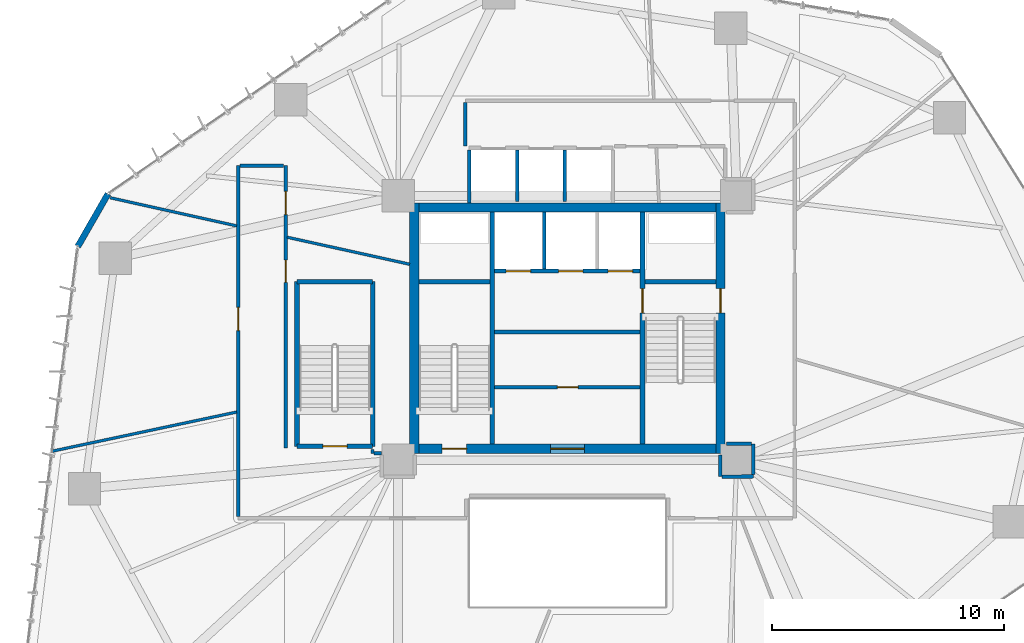
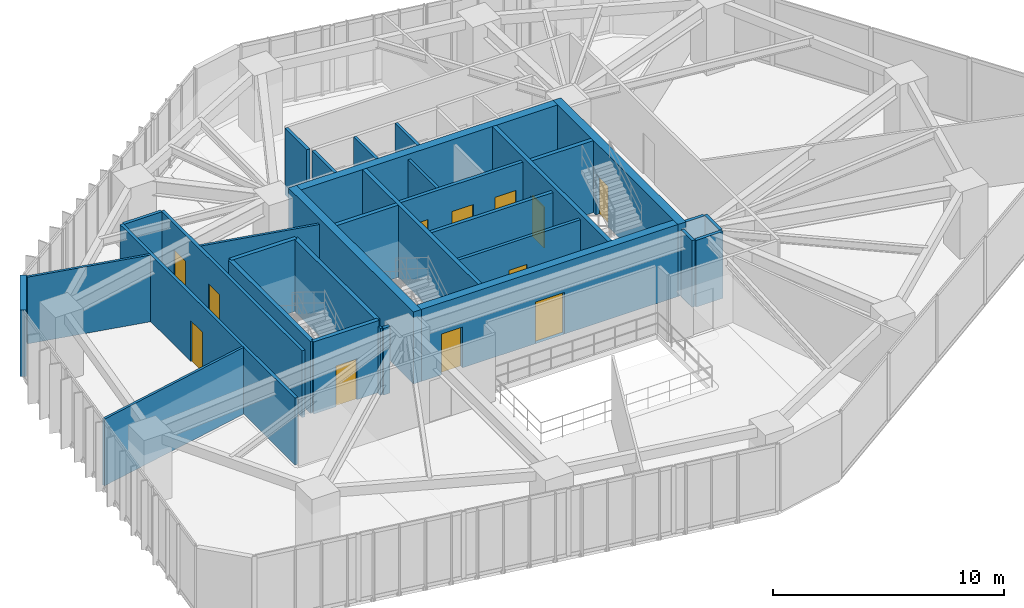
# One storey, part 17 of 21: 33 walls, 12 doors, 12 openings.
"""IFC4 building model written with IfcOpenShell, lengths in metres."""

from ifc_helpers import new_model, si_unit, direction, frame, frame_2d, origin, place, context, subcontext, project, spatial, rectangle, extrude, source, transform, mapped, material, layer, layer_set, type_object, type_shapes, element, fill, save


model = new_model("IFC4")

# Units and contexts
model_context = context("Model", 3, precision=1e-05, world=origin(), true_north=direction((0.0, 1.0)))
body_context = subcontext(model_context, "Body", "Model", "MODEL_VIEW")
ifc_project = project(units=[si_unit("LENGTHUNIT", "METRE"), si_unit("AREAUNIT", "SQUARE_METRE"), si_unit("VOLUMEUNIT", "CUBIC_METRE"), si_unit("PLANEANGLEUNIT", "RADIAN"), si_unit("MASSUNIT", "GRAM", prefix="KILO")], contexts=[model_context])

# Site, building, storey
site_placement = place(None, origin())
site = spatial("IfcSite", under=ifc_project, at=site_placement, CompositionType="ELEMENT")
building_placement = place(site_placement, origin())
building = spatial("IfcBuilding", under=site, at=building_placement, Name="Talar Marvaseh", CompositionType="ELEMENT")
storey_placement = place(building_placement, frame((0.0, 0.0, 62.0)))
storey = spatial("IfcBuildingStorey", under=building, at=storey_placement, Name="L15", CompositionType="ELEMENT", Elevation=62.0)

# Wall
ifc_material_1 = material(Name="Precast concrete C45/55", Category="concrete")
ifc_layer_1 = layer(ifc_material_1, 0.27001953125)
ifc_layer_set_1 = layer_set([ifc_layer_1], Name="Precast concrete C45/55")
wall_type_1 = type_object("IfcWallType", Name="Chamfered Hexagonal Corner Pier Wall Z1 270", PredefinedType="SOLIDWALL", material=ifc_layer_set_1)
wall_1_placement = place(storey_placement, frame((4.884033203125, 34.713134765625, 0.0), z_axis=(0.0, 0.0, 1.0), x_axis=(0.498102127786, 0.867118371559, 0.0)))
element("IfcWall", 1, at=wall_1_placement, inside=storey, type_object=wall_type_1, Name="L15 Chamfered Corner Limestone Pier 2", PredefinedType="SOLIDWALL", context=body_context, shape_type="SweptSolid", body=[
    extrude(rectangle(XDim=2.623291015625, YDim=0.27001953125, at=frame_2d((1.3115234375, 0.0))), origin(), (0.0, 0.0, 1.0), 3.52001953125),
])

# Wall, opening, door
ifc_material_2 = material(Name="Gypsum Board Partition Assembly")
ifc_layer_2 = layer(ifc_material_2, 0.155029296875)
ifc_layer_set_2 = layer_set([ifc_layer_2], Name="Gypsum Board Partition Assembly")
wall_type_2 = type_object("IfcWallType", Name="Corridor Fire-Rated Acoustic Partition 155", PredefinedType="PARTITIONING", material=ifc_layer_set_2)
wall_2_placement = place(storey_placement, frame((22.865966796875, 28.639892578125, 0.0), z_axis=(0.0, 0.0, 1.0), x_axis=(1.0, 0.0, 0.0)))
wall_2 = element("IfcWall", 2, at=wall_2_placement, inside=storey, type_object=wall_type_2, Name="L15 Core BOH Partition", PredefinedType="PARTITIONING", context=body_context, shape_type="SweptSolid", body=[
    extrude(rectangle(XDim=6.26806640625, YDim=0.155029296875, at=frame_2d((3.134033203125, 0.0))), origin(), (0.0, 0.0, 1.0), 3.52001953125),
])
opening_1_placement = place(wall_2_placement, frame((2.699951171875, 0.0, 0.0)))
opening_1 = element("IfcOpeningElement", 3, at=opening_1_placement, cuts=wall_2, Name="Opening DR-BOH090", PredefinedType="OPENING", context=body_context, shape_type="SweptSolid", body=[
    extrude(rectangle(XDim=0.89990234375, YDim=2.10009765625, at=frame_2d((0.449951171875, 1.050048828125))), frame((0.0, 0.08740234375, 0.0), z_axis=(0.0, -1.0, 0.0), x_axis=(1.0, 0.0, 0.0)), (0.0, 0.0, 1.0), 0.175048828125),
])
ifc_material_3 = material(Name="Fire-Rated Steel Door Leaf", Category="steel")
door_type_1 = type_object("IfcDoorType", Name="Core Back-of-House Service Door 900x2100", OperationType="NOTDEFINED", PredefinedType="DOOR", material=ifc_material_3)
shared_shape_1 = source(origin(), body_context, "Body", "SweptSolid", [
    extrude(rectangle(XDim=0.89990234375, YDim=2.10009765625, at=frame_2d((0.449951171875, 1.050048828125))), frame((0.0, 0.02490234375, 0.0), z_axis=(0.0, -1.0, 0.0), x_axis=(1.0, 0.0, 0.0)), (0.0, 0.0, 1.0), 0.050048828125),
])
type_shapes(door_type_1, [shared_shape_1])
door_1_placement = place(opening_1_placement, origin())
door_1 = element("IfcDoor", 4, at=door_1_placement, inside=storey, type_object=door_type_1, Name="L15 Store Core Central Archive Door", OperationType="SINGLE_SWING_LEFT", OverallHeight=2.10009765625, OverallWidth=0.89990234375, PredefinedType="DOOR", context=body_context, shape_type="MappedRepresentation", body=[
    mapped(shared_shape_1, transform((0.0, 0.0, 0.0), x_axis=(1.0, 0.0, 0.0), y_axis=(0.0, 1.0, 0.0), z_axis=(0.0, 0.0, 1.0), scale=1.0)),
])
fill(opening_1, door_1)

wall_3_placement = place(storey_placement, frame((11.800048828125, 23.08349609375, 0.0), z_axis=(0.0, 0.0, 1.0), x_axis=(0.0, 1.0, 0.0)))
wall_3 = element("IfcWall", 5, at=wall_3_placement, inside=storey, type_object=wall_type_2, Name="L15 Interior Partition Wall", PredefinedType="PARTITIONING", context=body_context, shape_type="SweptSolid", body=[
    extrude(rectangle(XDim=15.116455078125, YDim=0.155029296875, at=frame_2d((7.55810546875, 0.0))), origin(), (0.0, 0.0, 1.0), 3.52001953125),
])
opening_2_placement = place(wall_3_placement, frame((8.006103515625, 0.0, 0.0)))
opening_2 = element("IfcOpeningElement", 6, at=opening_2_placement, cuts=wall_3, Name="Opening DR-RM100", PredefinedType="OPENING", context=body_context, shape_type="SweptSolid", body=[
    extrude(rectangle(XDim=1.0, YDim=2.14990234375, at=frame_2d((0.5, 1.074951171875))), frame((0.0, 0.08740234375, 0.0), z_axis=(0.0, -1.0, 0.0), x_axis=(1.0, 0.0, 0.0)), (0.0, 0.0, 1.0), 0.175048828125),
])
ifc_material_4 = material(Name="Acoustic Engineered Oak Timber", Category="wood")
door_type_2 = type_object("IfcDoorType", Name="Corridor Fire-Rated Gallery Door 1000x2150", OperationType="NOTDEFINED", PredefinedType="DOOR", material=ifc_material_4)
shared_shape_2 = source(origin(), body_context, "Body", "SweptSolid", [
    extrude(rectangle(XDim=1.0, YDim=2.14990234375, at=frame_2d((0.5, 1.074951171875))), frame((0.0, 0.02490234375, 0.0), z_axis=(0.0, -1.0, 0.0), x_axis=(1.0, 0.0, 0.0)), (0.0, 0.0, 1.0), 0.050048828125),
])
type_shapes(door_type_2, [shared_shape_2])
door_2_placement = place(opening_2_placement, origin())
door_2 = element("IfcDoor", 7, at=door_2_placement, inside=storey, type_object=door_type_2, Name="L15 Quiet Research Study Door", OperationType="SINGLE_SWING_LEFT", OverallHeight=2.14990234375, OverallWidth=1.0, PredefinedType="DOOR", context=body_context, shape_type="MappedRepresentation", body=[
    mapped(shared_shape_2, transform((0.0, 0.0, 0.0), x_axis=(1.0, 0.0, 0.0), y_axis=(0.0, 1.0, 0.0), z_axis=(0.0, 0.0, 1.0), scale=1.0)),
])
fill(opening_2, door_2)

# Wall, openings, doors
wall_4_placement = place(storey_placement, frame((13.85009765625, 38.199951171875, 0.0), z_axis=(0.0, 0.0, 1.0), x_axis=(0.0, -1.0, 0.0)))
wall_4 = element("IfcWall", 8, at=wall_4_placement, inside=storey, type_object=wall_type_2, Name="L15 Interior Partition Wall", PredefinedType="PARTITIONING", context=body_context, shape_type="SweptSolid", body=[
    extrude(rectangle(XDim=12.179931640625, YDim=0.155029296875, at=frame_2d((6.08984375, 0.0))), origin(), (0.0, 0.0, 1.0), 3.52001953125),
])
opening_3_placement = place(wall_4_placement, frame((1.1044921875, 0.0, 0.0)))
opening_3 = element("IfcOpeningElement", 9, at=opening_3_placement, cuts=wall_4, Name="Opening DR-RM100", PredefinedType="OPENING", context=body_context, shape_type="SweptSolid", body=[
    extrude(rectangle(XDim=1.0, YDim=2.14990234375, at=frame_2d((0.5, 1.074951171875))), frame((0.0, 0.08740234375, 0.0), z_axis=(0.0, -1.0, 0.0), x_axis=(1.0, 0.0, 0.0)), (0.0, 0.0, 1.0), 0.175048828125),
])
opening_4_placement = place(wall_4_placement, frame((4.076416015625, 0.0, 0.0)))
opening_4 = element("IfcOpeningElement", 10, at=opening_4_placement, cuts=wall_4, Name="Opening DR-WC095", PredefinedType="OPENING", context=body_context, shape_type="SweptSolid", body=[
    extrude(rectangle(XDim=0.949951171875, YDim=2.14990234375, at=frame_2d((0.47509765625, 1.074951171875))), frame((0.0, 0.08740234375, 0.0), z_axis=(0.0, -1.0, 0.0), x_axis=(1.0, 0.0, 0.0)), (0.0, 0.0, 1.0), 0.175048828125),
])
door_type_3 = type_object("IfcDoorType", Name="Washroom and Service Room Door 950x2150", OperationType="NOTDEFINED", PredefinedType="DOOR", material=ifc_material_4)
shared_shape_3 = source(origin(), body_context, "Body", "SweptSolid", [
    extrude(rectangle(XDim=0.949951171875, YDim=2.14990234375, at=frame_2d((0.47509765625, 1.074951171875))), frame((0.0, 0.02490234375, 0.0), z_axis=(0.0, -1.0, 0.0), x_axis=(1.0, 0.0, 0.0)), (0.0, 0.0, 1.0), 0.050048828125),
])
type_shapes(door_type_3, [shared_shape_3])
door_3_placement = place(opening_4_placement, origin())
door_3 = element("IfcDoor", 11, at=door_3_placement, inside=storey, type_object=door_type_3, Name="L15 Accessible WC Door", OperationType="SINGLE_SWING_RIGHT", OverallHeight=2.14990234375, OverallWidth=0.949951171875, PredefinedType="DOOR", context=body_context, shape_type="MappedRepresentation", body=[
    mapped(shared_shape_3, transform((0.0, 0.0, 0.0), x_axis=(1.0, 0.0, 0.0), y_axis=(0.0, 1.0, 0.0), z_axis=(0.0, 0.0, 1.0), scale=1.0)),
])
fill(opening_4, door_3)
door_4_placement = place(opening_3_placement, origin())
door_4 = element("IfcDoor", 12, at=door_4_placement, inside=storey, type_object=door_type_2, Name="L15 Digital Paleography Studio Door", OperationType="SINGLE_SWING_LEFT", OverallHeight=2.14990234375, OverallWidth=1.0, PredefinedType="DOOR", context=body_context, shape_type="MappedRepresentation", body=[
    mapped(shared_shape_2, transform((0.0, 0.0, 0.0), x_axis=(1.0, 0.0, 0.0), y_axis=(0.0, 1.0, 0.0), z_axis=(0.0, 0.0, 1.0), scale=1.0)),
])
fill(opening_3, door_4)

# Walls
wall_5_placement = place(storey_placement, frame((11.883544921875, 38.199951171875, 0.0), z_axis=(0.0, 0.0, 1.0), x_axis=(1.0, 0.0, 0.0)))
element("IfcWall", 13, at=wall_5_placement, inside=storey, type_object=wall_type_2, Name="L15 Interior Partition Wall", PredefinedType="PARTITIONING", context=body_context, shape_type="SweptSolid", body=[
    extrude(rectangle(XDim=1.883056640625, YDim=0.155029296875, at=frame_2d((0.94140625, 0.0))), origin(), (0.0, 0.0, 1.0), 3.52001953125),
])
wall_6_placement = place(storey_placement, frame((17.666015625, 25.800048828125, 0.0), z_axis=(0.0, 0.0, 1.0), x_axis=(1.0, 0.0, 0.0)))
element("IfcWall", 14, at=wall_6_placement, inside=storey, type_object=wall_type_2, Name="L15 Interior Partition Wall", PredefinedType="PARTITIONING", context=body_context, shape_type="SweptSolid", body=[
    extrude(rectangle(XDim=0.319091796875, YDim=0.155029296875, at=frame_2d((0.15966796875, 0.0))), origin(), (0.0, 0.0, 1.0), 3.52001953125),
])
wall_7_placement = place(storey_placement, frame((32.5849609375, 25.72998046875, 0.0), z_axis=(0.0, 0.0, 1.0), x_axis=(0.007253695172, -0.999973691607, 0.0)))
element("IfcWall", 15, at=wall_7_placement, inside=storey, type_object=wall_type_2, Name="L15 Interior Partition Wall", PredefinedType="PARTITIONING", context=body_context, shape_type="SweptSolid", body=[
    extrude(rectangle(XDim=0.9423828125, YDim=0.155029296875, at=frame_2d((0.47119140625, 0.0))), origin(), (0.0, 0.0, 1.0), 3.52001953125),
])
wall_8_placement = place(storey_placement, frame((32.67529296875, 24.788330078125, 0.0), z_axis=(0.0, 0.0, 1.0), x_axis=(0.999961738884, 0.008747614993, 0.0)))
element("IfcWall", 16, at=wall_8_placement, inside=storey, type_object=wall_type_2, Name="L15 Interior Partition Wall", PredefinedType="PARTITIONING", context=body_context, shape_type="SweptSolid", body=[
    extrude(rectangle(XDim=1.339599609375, YDim=0.155029296875, at=frame_2d((0.669921875, 0.0))), origin(), (0.0, 0.0, 1.0), 3.52001953125),
])
wall_9_placement = place(storey_placement, frame((34.014892578125, 24.883544921875, 0.0), z_axis=(0.0, 0.0, 1.0), x_axis=(-0.002393659134, 0.999997135194, 0.0)))
element("IfcWall", 17, at=wall_9_placement, inside=storey, type_object=wall_type_2, Name="L15 Interior Partition Wall", PredefinedType="PARTITIONING", context=body_context, shape_type="SweptSolid", body=[
    extrude(rectangle(XDim=1.325927734375, YDim=0.155029296875, at=frame_2d((0.6630859375, 0.0))), origin(), (0.0, 0.0, 1.0), 3.52001953125),
])
wall_10_placement = place(storey_placement, frame((33.927978515625, 26.2099609375, 0.0), z_axis=(0.0, 0.0, 1.0), x_axis=(-0.999988255797, 0.004846469737, 0.0)))
element("IfcWall", 18, at=wall_10_placement, inside=storey, type_object=wall_type_2, Name="L15 Interior Partition Wall", PredefinedType="PARTITIONING", context=body_context, shape_type="SweptSolid", body=[
    extrude(rectangle(XDim=1.057861328125, YDim=0.155029296875, at=frame_2d((0.52880859375, 0.0))), origin(), (0.0, 0.0, 1.0), 3.52001953125),
])
wall_11_placement = place(storey_placement, frame((21.60009765625, 39.0400390625, 0.0), z_axis=(0.0, 0.0, 1.0), x_axis=(0.0, 1.0, 0.0)))
element("IfcWall", 19, at=wall_11_placement, inside=storey, type_object=wall_type_2, Name="L15 Interior Partition Wall", PredefinedType="PARTITIONING", context=body_context, shape_type="SweptSolid", body=[
    extrude(rectangle(XDim=1.87646484375, YDim=0.155029296875, at=frame_2d((0.938232421875, 0.0))), origin(), (0.0, 0.0, 1.0), 3.52001953125),
])
ifc_layer_3 = layer(ifc_material_2, 0.1201171875)
ifc_layer_set_3 = layer_set([ifc_layer_3], Name="Gypsum Board Partition Assembly")
wall_type_3 = type_object("IfcWallType", Name="Demountable Studio Room Partition 120", PredefinedType="PARTITIONING", material=ifc_layer_set_3)
wall_12_placement = place(storey_placement, frame((17.60009765625, 25.96240234375, 0.0), z_axis=(0.0, 0.0, 1.0), x_axis=(0.0, -1.0, 0.0)))
element("IfcWall", 20, at=wall_12_placement, inside=storey, type_object=wall_type_3, Name="L15 Interior Partition Wall", PredefinedType="PARTITIONING", context=body_context, shape_type="SweptSolid", body=[
    extrude(rectangle(XDim=0.1748046875, YDim=0.1201171875, at=frame_2d((0.08740234375, 0.0))), origin(), (0.0, 0.0, 1.0), 3.52001953125),
])
wall_13_placement = place(storey_placement, frame((3.7958984375, 25.890869140625, 0.0), z_axis=(0.0, 0.0, 1.0), x_axis=(0.978203773987, 0.207647240672, 0.0)))
element("IfcWall", 21, at=wall_13_placement, inside=storey, type_object=wall_type_3, Name="L15 Interior Partition Wall", PredefinedType="PARTITIONING", context=body_context, shape_type="SweptSolid", body=[
    extrude(rectangle(XDim=8.117431640625, YDim=0.1201171875, at=frame_2d((4.05859375, 0.0))), origin(), (0.0, 0.0, 1.0), 3.52001953125),
])
wall_14_placement = place(storey_placement, frame((19.199951171875, 33.949951171875, 0.0), z_axis=(0.0, 0.0, 1.0), x_axis=(-0.976527540086, 0.215392579848, 0.0)))
element("IfcWall", 22, at=wall_14_placement, inside=storey, type_object=wall_type_3, Name="L15 Interior Partition Wall", PredefinedType="PARTITIONING", context=body_context, shape_type="SweptSolid", body=[
    extrude(rectangle(XDim=5.413330078125, YDim=0.1201171875, at=frame_2d((2.70654296875, 0.0))), origin(), (0.0, 0.0, 1.0), 3.52001953125),
])
wall_15_placement = place(storey_placement, frame((11.736572265625, 35.60400390625, 0.0), z_axis=(0.0, 0.0, 1.0), x_axis=(-0.976098493893, 0.217328622643, 0.0)))
element("IfcWall", 23, at=wall_15_placement, inside=storey, type_object=wall_type_3, Name="L15 Interior Partition Wall", PredefinedType="PARTITIONING", context=body_context, shape_type="SweptSolid", body=[
    extrude(rectangle(XDim=5.583251953125, YDim=0.1201171875, at=frame_2d((2.79150390625, 0.0))), origin(), (0.0, 0.0, 1.0), 3.52001953125),
])
ifc_layer_4 = layer(ifc_material_1, 0.14501953125)
ifc_layer_set_4 = layer_set([ifc_layer_4], Name="Precast concrete C45/55")
wall_type_4 = type_object("IfcWallType", Name="Fire-Rated Lift Divider Wall 145", PredefinedType="SOLIDWALL", material=ifc_layer_set_4)
wall_16_placement = place(storey_placement, frame((25.0, 33.743408203125, 0.0), z_axis=(0.0, 0.0, 1.0), x_axis=(0.0, 1.0, 0.0)))
element("IfcWall", 24, at=wall_16_placement, inside=storey, type_object=wall_type_4, Name="L15 FFL-1/FFL-2 Divider", PredefinedType="SOLIDWALL", context=body_context, shape_type="SweptSolid", body=[
    extrude(rectangle(XDim=2.45654296875, YDim=0.14501953125, at=frame_2d((1.228271484375, 0.0))), origin(), (0.0, 0.0, 1.0), 3.52001953125),
])
wall_17_placement = place(storey_placement, frame((21.760009765625, 36.60009765625, 0.0), z_axis=(0.0, 0.0, 1.0), x_axis=(0.0, 1.0, 0.0)))
element("IfcWall", 25, at=wall_17_placement, inside=storey, type_object=wall_type_4, Name="L15 Low-Rise Bank West Wall", PredefinedType="SOLIDWALL", context=body_context, shape_type="SweptSolid", body=[
    extrude(rectangle(XDim=2.266357421875, YDim=0.14501953125, at=frame_2d((1.13330078125, 0.0))), origin(), (0.0, 0.0, 1.0), 3.52001953125),
])
for number, where, z_axis, x_axis, name in (
    (26, (23.830078125, 36.659912109375, 0.0), (0.0, 0.0, 1.0), (0.0, 1.0, 0.0), "L15 PL-L1/PL-L2 Divider"),
    (27, (25.889892578125, 36.659912109375, 0.0), (0.0, 0.0, 1.0), (0.0, 1.0, 0.0), "L15 PL-L2/PL-L3 Divider"),
):
    element("IfcWall", number, at=place(storey_placement, frame(where, z_axis=z_axis, x_axis=x_axis)), inside=storey, type_object=wall_type_4, Name=name, PredefinedType="SOLIDWALL", context=body_context, shape_type="SweptSolid", body=[
        extrude(rectangle(XDim=2.20654296875, YDim=0.14501953125, at=frame_2d((1.103271484375, 0.0))), origin(), (0.0, 0.0, 1.0), 3.52001953125),
    ])

# Wall, openings, doors
ifc_layer_5 = layer(ifc_material_1, 0.175048828125)
ifc_layer_set_5 = layer_set([ifc_layer_5], Name="Precast concrete C45/55")
wall_type_5 = type_object("IfcWallType", Name="Fire-Rated Lift Hoistway Enclosure Wall 175", PredefinedType="SOLIDWALL", material=ifc_layer_set_5)
wall_18_placement = place(storey_placement, frame((22.860107421875, 33.64990234375, 0.0), z_axis=(0.0, 0.0, 1.0), x_axis=(1.0, 0.0, 0.0)))
wall_18 = element("IfcWall", 28, at=wall_18_placement, inside=storey, type_object=wall_type_5, Name="L15 Firefighting and Service Lift Front Wall", PredefinedType="SOLIDWALL", context=body_context, shape_type="SweptSolid", body=[
    extrude(rectangle(XDim=6.27978515625, YDim=0.175048828125, at=frame_2d((3.139892578125, 0.0))), origin(), (0.0, 0.0, 1.0), 3.52001953125),
])
opening_5_placement = place(wall_18_placement, frame((0.5, 0.0, 0.0)))
opening_5 = element("IfcOpeningElement", 29, at=opening_5_placement, cuts=wall_18, Name="Opening LD-FF1", PredefinedType="OPENING", context=body_context, shape_type="SweptSolid", body=[
    extrude(rectangle(XDim=1.050048828125, YDim=2.14990234375, at=frame_2d((0.52490234375, 1.074951171875))), frame((0.0, 0.09765625, 0.0), z_axis=(0.0, -1.0, 0.0), x_axis=(1.0, 0.0, 0.0)), (0.0, 0.0, 1.0), 0.195068359375),
])
opening_6_placement = place(wall_18_placement, frame((2.760009765625, 0.0, 0.0)))
opening_6 = element("IfcOpeningElement", 30, at=opening_6_placement, cuts=wall_18, Name="Opening LD-FF2", PredefinedType="OPENING", context=body_context, shape_type="SweptSolid", body=[
    extrude(rectangle(XDim=1.050048828125, YDim=2.14990234375, at=frame_2d((0.52490234375, 1.074951171875))), frame((0.0, 0.09765625, 0.0), z_axis=(0.0, -1.0, 0.0), x_axis=(1.0, 0.0, 0.0)), (0.0, 0.0, 1.0), 0.195068359375),
])
opening_7_placement = place(wall_18_placement, frame((4.89990234375, 0.0, 0.0)))
opening_7 = element("IfcOpeningElement", 31, at=opening_7_placement, cuts=wall_18, Name="Opening LD-SV1", PredefinedType="OPENING", context=body_context, shape_type="SweptSolid", body=[
    extrude(rectangle(XDim=1.050048828125, YDim=2.14990234375, at=frame_2d((0.52490234375, 1.074951171875))), frame((0.0, 0.09765625, 0.0), z_axis=(0.0, -1.0, 0.0), x_axis=(1.0, 0.0, 0.0)), (0.0, 0.0, 1.0), 0.195068359375),
])
ifc_material_5 = material(Name="Stainless Steel Grade 316", Category="steel")
door_type_4 = type_object("IfcDoorType", Name="Automatic Sliding Lift Landing Door 1050x2150", OperationType="NOTDEFINED", PredefinedType="DOOR", material=ifc_material_5)
shared_shape_4 = source(origin(), body_context, "Body", "SweptSolid", [
    extrude(rectangle(XDim=1.050048828125, YDim=2.14990234375, at=frame_2d((0.52490234375, 1.074951171875))), frame((0.0, 0.02490234375, 0.0), z_axis=(0.0, -1.0, 0.0), x_axis=(1.0, 0.0, 0.0)), (0.0, 0.0, 1.0), 0.050048828125),
])
type_shapes(door_type_4, [shared_shape_4])
door_5_placement = place(opening_5_placement, origin())
door_5 = element("IfcDoor", 32, at=door_5_placement, inside=storey, type_object=door_type_4, Name="L15 Lift FFL-1 Sliding Landing Door", OperationType="SLIDING_TO_LEFT", OverallHeight=2.14990234375, OverallWidth=1.050048828125, PredefinedType="DOOR", context=body_context, shape_type="MappedRepresentation", body=[
    mapped(shared_shape_4, transform((0.0, 0.0, 0.0), x_axis=(1.0, 0.0, 0.0), y_axis=(0.0, 1.0, 0.0), z_axis=(0.0, 0.0, 1.0), scale=1.0)),
])
fill(opening_5, door_5)
door_6_placement = place(opening_6_placement, origin())
door_6 = element("IfcDoor", 33, at=door_6_placement, inside=storey, type_object=door_type_4, Name="L15 Lift FFL-2 Sliding Landing Door", OperationType="SLIDING_TO_LEFT", OverallHeight=2.14990234375, OverallWidth=1.050048828125, PredefinedType="DOOR", context=body_context, shape_type="MappedRepresentation", body=[
    mapped(shared_shape_4, transform((0.0, 0.0, 0.0), x_axis=(1.0, 0.0, 0.0), y_axis=(0.0, 1.0, 0.0), z_axis=(0.0, 0.0, 1.0), scale=1.0)),
])
fill(opening_6, door_6)
door_7_placement = place(opening_7_placement, origin())
door_7 = element("IfcDoor", 34, at=door_7_placement, inside=storey, type_object=door_type_4, Name="L15 Lift SVL-1 Sliding Landing Door", OperationType="SLIDING_TO_LEFT", OverallHeight=2.14990234375, OverallWidth=1.050048828125, PredefinedType="DOOR", context=body_context, shape_type="MappedRepresentation", body=[
    mapped(shared_shape_4, transform((0.0, 0.0, 0.0), x_axis=(1.0, 0.0, 0.0), y_axis=(0.0, 1.0, 0.0), z_axis=(0.0, 0.0, 1.0), scale=1.0)),
])
fill(opening_7, door_7)

# Walls
wall_19_placement = place(storey_placement, frame((22.860107421875, 31.02001953125, 0.0), z_axis=(0.0, 0.0, 1.0), x_axis=(1.0, 0.0, 0.0)))
element("IfcWall", 35, at=wall_19_placement, inside=storey, type_object=wall_type_5, Name="L15 Firefighting Lobby South Smoke Wall", PredefinedType="SOLIDWALL", context=body_context, shape_type="SweptSolid", body=[
    extrude(rectangle(XDim=6.27978515625, YDim=0.175048828125, at=frame_2d((3.139892578125, 0.0))), origin(), (0.0, 0.0, 1.0), 3.52001953125),
])
ifc_material_6 = material(Name="Concrete C70/85", Category="concrete")
ifc_layer_6 = layer(ifc_material_6, 0.39990234375)
ifc_layer_set_6 = layer_set([ifc_layer_6], Name="Concrete C70/85")
wall_type_6 = type_object("IfcWallType", Name="Lower Core Reinforced Concrete Shear Wall 400", PredefinedType="SHEAR", material=ifc_layer_set_6)
wall_20_placement = place(storey_placement, frame((19.39990234375, 25.800048828125, 0.0), z_axis=(0.0, 0.0, 1.0), x_axis=(0.0, 1.0, 0.0)))
element("IfcWall", 36, at=wall_20_placement, inside=storey, type_object=wall_type_6, Name="L15 West Core Shear Wall", PredefinedType="SHEAR", context=body_context, shape_type="SweptSolid", body=[
    extrude(rectangle(XDim=10.800048828125, YDim=0.39990234375, at=frame_2d((5.39990234375, 0.0))), origin(), (0.0, 0.0, 1.0), 3.800048828125),
])

# Wall, opening, door
wall_21_placement = place(storey_placement, frame((32.60009765625, 36.60009765625, 0.0), z_axis=(0.0, 0.0, 1.0), x_axis=(0.0, -1.0, 0.0)))
wall_21 = element("IfcWall", 37, at=wall_21_placement, inside=storey, type_object=wall_type_6, Name="L15 East Core Shear Wall", PredefinedType="SHEAR", context=body_context, shape_type="SweptSolid", body=[
    extrude(rectangle(XDim=10.800048828125, YDim=0.39990234375, at=frame_2d((5.39990234375, 0.0))), origin(), (0.0, 0.0, 1.0), 3.800048828125),
])
opening_8_placement = place(wall_21_placement, frame((3.699951171875, 0.0, 0.0)))
opening_8 = element("IfcOpeningElement", 38, at=opening_8_placement, cuts=wall_21, Name="Opening DR-ST105", PredefinedType="OPENING", context=body_context, shape_type="SweptSolid", body=[
    extrude(rectangle(XDim=1.050048828125, YDim=2.14990234375, at=frame_2d((0.52490234375, 1.074951171875))), frame((0.0, 0.2099609375, 0.0), z_axis=(0.0, -1.0, 0.0), x_axis=(1.0, 0.0, 0.0)), (0.0, 0.0, 1.0), 0.419921875),
])
door_type_5 = type_object("IfcDoorType", Name="Protected Exit Stair Fire Door 1050x2150", OperationType="NOTDEFINED", PredefinedType="DOOR", material=ifc_material_3)
shared_shape_5 = source(origin(), body_context, "Body", "SweptSolid", [
    extrude(rectangle(XDim=1.050048828125, YDim=2.14990234375, at=frame_2d((0.52490234375, 1.074951171875))), frame((0.0, 0.02490234375, 0.0), z_axis=(0.0, -1.0, 0.0), x_axis=(1.0, 0.0, 0.0)), (0.0, 0.0, 1.0), 0.050048828125),
])
type_shapes(door_type_5, [shared_shape_5])
door_8_placement = place(opening_8_placement, origin())
door_8 = element("IfcDoor", 39, at=door_8_placement, inside=storey, type_object=door_type_5, Name="L15 Stair ST-2 Corridor Exit Door", OperationType="SINGLE_SWING_LEFT", OverallHeight=2.14990234375, OverallWidth=1.050048828125, PredefinedType="DOOR", context=body_context, shape_type="MappedRepresentation", body=[
    mapped(shared_shape_5, transform((0.0, 0.0, 0.0), x_axis=(1.0, 0.0, 0.0), y_axis=(0.0, 1.0, 0.0), z_axis=(0.0, 0.0, 1.0), scale=1.0)),
])
fill(opening_8, door_8)

# Wall
wall_22_placement = place(storey_placement, frame((19.60009765625, 36.39990234375, 0.0), z_axis=(0.0, 0.0, 1.0), x_axis=(1.0, 0.0, 0.0)))
element("IfcWall", 40, at=wall_22_placement, inside=storey, type_object=wall_type_6, Name="L15 North Core Shear Wall", PredefinedType="SHEAR", context=body_context, shape_type="SweptSolid", body=[
    extrude(rectangle(XDim=12.7998046875, YDim=0.39990234375, at=frame_2d((6.39990234375, 0.0))), origin(), (0.0, 0.0, 1.0), 3.800048828125),
])

# Wall, openings, doors
wall_23_placement = place(storey_placement, frame((32.39990234375, 26.0, 0.0), z_axis=(0.0, 0.0, 1.0), x_axis=(-1.0, 0.0, 0.0)))
wall_23 = element("IfcWall", 41, at=wall_23_placement, inside=storey, type_object=wall_type_6, Name="L15 South Core Shear Wall", PredefinedType="SHEAR", context=body_context, shape_type="SweptSolid", body=[
    extrude(rectangle(XDim=12.7998046875, YDim=0.39990234375, at=frame_2d((6.39990234375, 0.0))), origin(), (0.0, 0.0, 1.0), 3.800048828125),
])
opening_9_placement = place(wall_23_placement, frame((10.75, 0.0, 0.0)))
opening_9 = element("IfcOpeningElement", 42, at=opening_9_placement, cuts=wall_23, Name="Opening DR-ST105", PredefinedType="OPENING", context=body_context, shape_type="SweptSolid", body=[
    extrude(rectangle(XDim=1.050048828125, YDim=2.14990234375, at=frame_2d((0.52490234375, 1.074951171875))), frame((0.0, 0.2099609375, 0.0), z_axis=(0.0, -1.0, 0.0), x_axis=(1.0, 0.0, 0.0)), (0.0, 0.0, 1.0), 0.419921875),
])
opening_10_placement = place(wall_23_placement, frame((5.669921875, 0.0, 0.0)))
opening_10 = element("IfcOpeningElement", 43, at=opening_10_placement, cuts=wall_23, Name="Opening DR-LBY145", PredefinedType="OPENING", context=body_context, shape_type="SweptSolid", body=[
    extrude(rectangle(XDim=1.449951171875, YDim=2.199951171875, at=frame_2d((0.72509765625, 1.10009765625))), frame((0.0, 0.2099609375, 0.0), z_axis=(0.0, -1.0, 0.0), x_axis=(1.0, 0.0, 0.0)), (0.0, 0.0, 1.0), 0.419921875),
])
door_9_placement = place(opening_9_placement, origin())
door_9 = element("IfcDoor", 44, at=door_9_placement, inside=storey, type_object=door_type_5, Name="L15 Stair ST-1 Exit Door", OperationType="SINGLE_SWING_RIGHT", OverallHeight=2.14990234375, OverallWidth=1.050048828125, PredefinedType="DOOR", context=body_context, shape_type="MappedRepresentation", body=[
    mapped(shared_shape_5, transform((0.0, 0.0, 0.0), x_axis=(1.0, 0.0, 0.0), y_axis=(0.0, 1.0, 0.0), z_axis=(0.0, 0.0, 1.0), scale=1.0)),
])
fill(opening_9, door_9)
door_type_6 = type_object("IfcDoorType", Name="Core Lift Lobby Double Smoke Door 1450x2200", OperationType="NOTDEFINED", PredefinedType="DOOR", material=ifc_material_3)
shared_shape_6 = source(origin(), body_context, "Body", "SweptSolid", [
    extrude(rectangle(XDim=1.449951171875, YDim=2.199951171875, at=frame_2d((0.72509765625, 1.10009765625))), frame((0.0, 0.02490234375, 0.0), z_axis=(0.0, -1.0, 0.0), x_axis=(1.0, 0.0, 0.0)), (0.0, 0.0, 1.0), 0.050048828125),
])
type_shapes(door_type_6, [shared_shape_6])
door_10_placement = place(opening_10_placement, origin())
door_10 = element("IfcDoor", 45, at=door_10_placement, inside=storey, type_object=door_type_6, Name="L15 Passenger Lift Lobby Entrance Door", OperationType="DOUBLE_DOOR_SINGLE_SWING", OverallHeight=2.199951171875, OverallWidth=1.449951171875, PredefinedType="DOOR", context=body_context, shape_type="MappedRepresentation", body=[
    mapped(shared_shape_6, transform((0.0, 0.0, 0.0), x_axis=(1.0, 0.0, 0.0), y_axis=(0.0, 1.0, 0.0), z_axis=(0.0, 0.0, 1.0), scale=1.0)),
])
fill(opening_10, door_10)

# Wall
ifc_material_7 = material(Name="Concrete C50/60", Category="concrete")
ifc_layer_7 = layer(ifc_material_7, 0.199951171875)
ifc_layer_set_7 = layer_set([ifc_layer_7], Name="Concrete C50/60")
wall_type_7 = type_object("IfcWallType", Name="Stair Shaft Structural Concrete Shear Wall 200", PredefinedType="SHEAR", material=ifc_layer_set_7)
wall_24_placement = place(storey_placement, frame((22.760009765625, 26.199951171875, 0.0), z_axis=(0.0, 0.0, 1.0), x_axis=(0.0, 1.0, 0.0)))
element("IfcWall", 46, at=wall_24_placement, inside=storey, type_object=wall_type_7, Name="L15 Core West Stair Shear Wall", PredefinedType="SHEAR", context=body_context, shape_type="SweptSolid", body=[
    extrude(rectangle(XDim=10.0, YDim=0.199951171875, at=frame_2d((5.0, 0.0))), origin(), (0.0, 0.0, 1.0), 3.800048828125),
])

# Wall, opening, door
wall_25_placement = place(storey_placement, frame((29.239990234375, 26.199951171875, 0.0), z_axis=(0.0, 0.0, 1.0), x_axis=(0.0, 1.0, 0.0)))
wall_25 = element("IfcWall", 47, at=wall_25_placement, inside=storey, type_object=wall_type_7, Name="L15 Core East Stair Shear Wall", PredefinedType="SHEAR", context=body_context, shape_type="SweptSolid", body=[
    extrude(rectangle(XDim=10.0, YDim=0.199951171875, at=frame_2d((5.0, 0.0))), origin(), (0.0, 0.0, 1.0), 3.800048828125),
])
opening_11_placement = place(wall_25_placement, frame((5.64990234375, 0.0, 0.0)))
opening_11 = element("IfcOpeningElement", 48, at=opening_11_placement, cuts=wall_25, Name="Opening DR-ST105", PredefinedType="OPENING", context=body_context, shape_type="SweptSolid", body=[
    extrude(rectangle(XDim=1.050048828125, YDim=2.14990234375, at=frame_2d((0.52490234375, 1.074951171875))), frame((0.0, 0.10986328125, 0.0), z_axis=(0.0, -1.0, 0.0), x_axis=(1.0, 0.0, 0.0)), (0.0, 0.0, 1.0), 0.219970703125),
])
door_11_placement = place(opening_11_placement, origin())
door_11 = element("IfcDoor", 49, at=door_11_placement, inside=storey, type_object=door_type_5, Name="L15 Firefighting Lobby to Stair ST-2 Door", OperationType="SINGLE_SWING_LEFT", OverallHeight=2.14990234375, OverallWidth=1.050048828125, PredefinedType="DOOR", context=body_context, shape_type="MappedRepresentation", body=[
    mapped(shared_shape_5, transform((0.0, 0.0, 0.0), x_axis=(1.0, 0.0, 0.0), y_axis=(0.0, 1.0, 0.0), z_axis=(0.0, 0.0, 1.0), scale=1.0)),
])
fill(opening_11, door_11)

# Walls
for number, where, z_axis, x_axis, name in (
    (50, (19.60009765625, 33.199951171875, 0.0), (0.0, 0.0, 1.0), (1.0, 0.0, 0.0), "L15 Stair ST-1 North Shear Wall"),
    (51, (29.340087890625, 33.199951171875, 0.0), (0.0, 0.0, 1.0), (1.0, 0.0, 0.0), "L15 Stair ST-2 North Shear Wall"),
):
    element("IfcWall", number, at=place(storey_placement, frame(where, z_axis=z_axis, x_axis=x_axis)), inside=storey, type_object=wall_type_7, Name=name, PredefinedType="SHEAR", context=body_context, shape_type="SweptSolid", body=[
        extrude(rectangle(XDim=3.059814453125, YDim=0.199951171875, at=frame_2d((1.52978515625, 0.0))), origin(), (0.0, 0.0, 1.0), 3.800048828125),
    ])

# Wall, opening, door
wall_26_placement = place(storey_placement, frame((17.60009765625, 26.10009765625, 0.0), z_axis=(0.0, 0.0, 1.0), x_axis=(-1.0, 0.0, 0.0)))
wall_26 = element("IfcWall", 52, at=wall_26_placement, inside=storey, type_object=wall_type_7, Name="L15 Stair ST-3 South Shear Wall", PredefinedType="SHEAR", context=body_context, shape_type="SweptSolid", body=[
    extrude(rectangle(XDim=3.260009765625, YDim=0.199951171875, at=frame_2d((1.6298828125, 0.0))), origin(), (0.0, 0.0, 1.0), 3.800048828125),
])
opening_12_placement = place(wall_26_placement, frame((1.10009765625, 0.0, 0.0)))
opening_12 = element("IfcOpeningElement", 53, at=opening_12_placement, cuts=wall_26, Name="Opening DR-ST105", PredefinedType="OPENING", context=body_context, shape_type="SweptSolid", body=[
    extrude(rectangle(XDim=1.050048828125, YDim=2.14990234375, at=frame_2d((0.52490234375, 1.074951171875))), frame((0.0, 0.10986328125, 0.0), z_axis=(0.0, -1.0, 0.0), x_axis=(1.0, 0.0, 0.0)), (0.0, 0.0, 1.0), 0.219970703125),
])
door_12_placement = place(opening_12_placement, origin())
door_12 = element("IfcDoor", 54, at=door_12_placement, inside=storey, type_object=door_type_5, Name="L15 Stair ST-3 Exit Door", OperationType="SINGLE_SWING_LEFT", OverallHeight=2.14990234375, OverallWidth=1.050048828125, PredefinedType="DOOR", context=body_context, shape_type="MappedRepresentation", body=[
    mapped(shared_shape_5, transform((0.0, 0.0, 0.0), x_axis=(1.0, 0.0, 0.0), y_axis=(0.0, 1.0, 0.0), z_axis=(0.0, 0.0, 1.0), scale=1.0)),
])
fill(opening_12, door_12)

# Walls
wall_27_placement = place(storey_placement, frame((14.340087890625, 33.199951171875, 0.0), z_axis=(0.0, 0.0, 1.0), x_axis=(1.0, 0.0, 0.0)))
element("IfcWall", 55, at=wall_27_placement, inside=storey, type_object=wall_type_7, Name="L15 Stair ST-3 North Shear Wall", PredefinedType="SHEAR", context=body_context, shape_type="SweptSolid", body=[
    extrude(rectangle(XDim=3.260009765625, YDim=0.199951171875, at=frame_2d((1.6298828125, 0.0))), origin(), (0.0, 0.0, 1.0), 3.800048828125),
])
for number, where, z_axis, x_axis, name in (
    (56, (14.340087890625, 26.10009765625, 0.0), (0.0, 0.0, 1.0), (0.0, 1.0, 0.0), "L15 Stair ST-3 West Shear Wall"),
    (57, (17.60009765625, 26.10009765625, 0.0), (0.0, 0.0, 1.0), (0.0, 1.0, 0.0), "L15 Stair ST-3 East Shear Wall"),
):
    element("IfcWall", number, at=place(storey_placement, frame(where, z_axis=z_axis, x_axis=x_axis)), inside=storey, type_object=wall_type_7, Name=name, PredefinedType="SHEAR", context=body_context, shape_type="SweptSolid", body=[
        extrude(rectangle(XDim=7.099853515625, YDim=0.199951171875, at=frame_2d((3.5498046875, 0.0))), origin(), (0.0, 0.0, 1.0), 3.800048828125),
    ])

save(model, "model.ifc")
